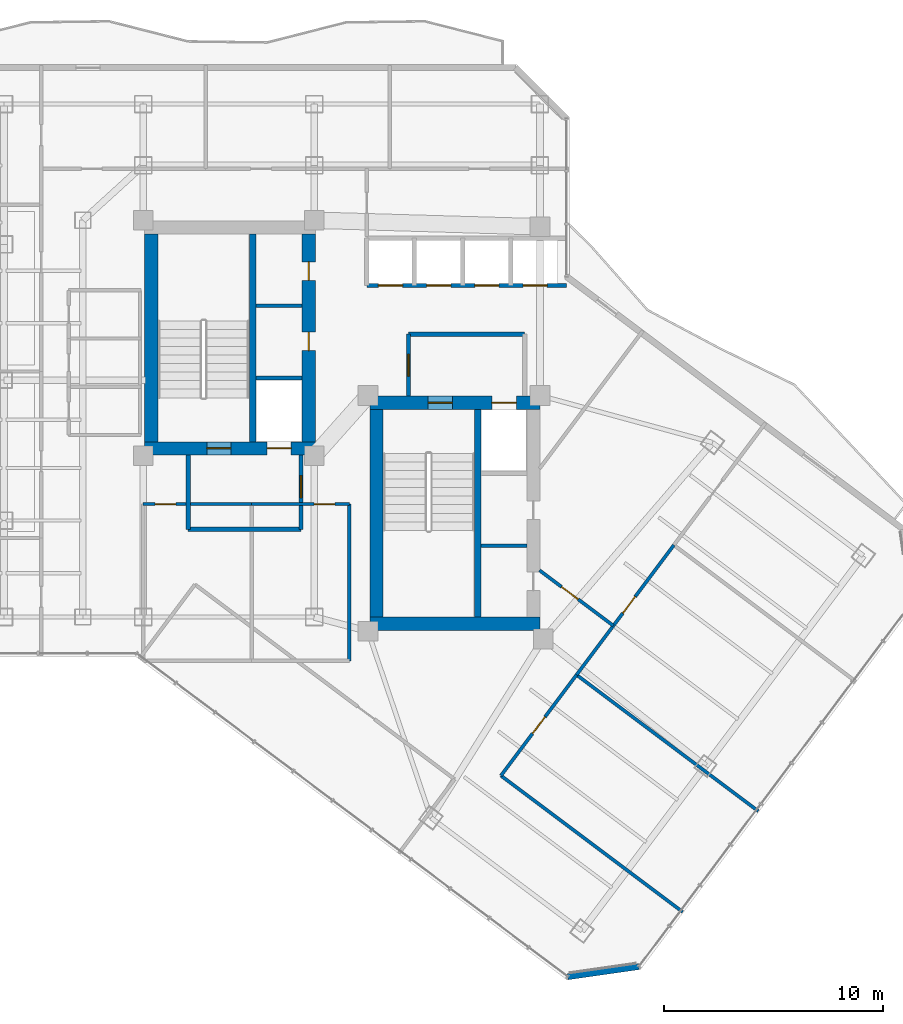
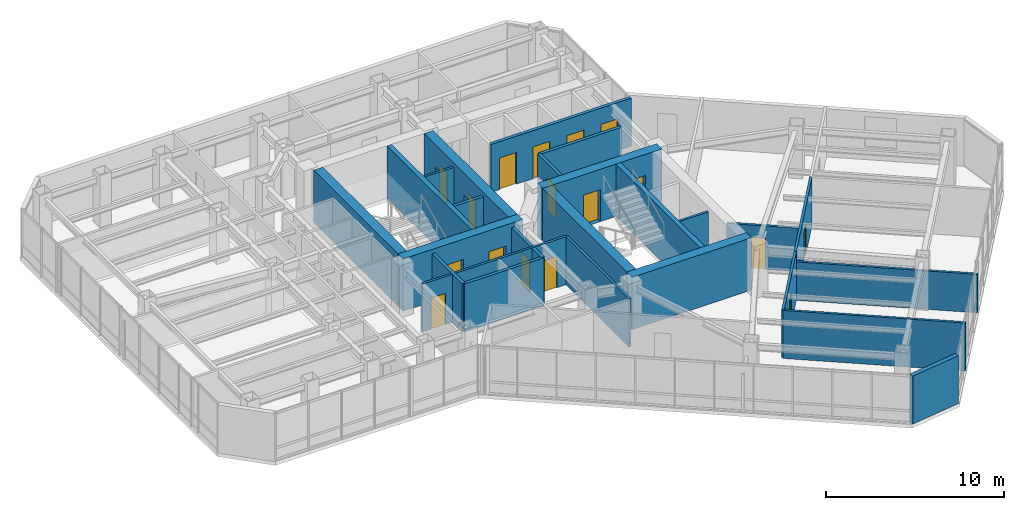
# One storey, part 25 of 29: 26 walls, 17 doors, 17 openings.
"""IFC4 building model written with IfcOpenShell, lengths in metres."""

from ifc_helpers import new_model, si_unit, direction, frame, frame_2d, origin, place, context, subcontext, project, spatial, rectangle, extrude, material, layer, layer_set, type_object, element, fill, save


model = new_model("IFC4")

# Units and contexts
model_context = context("Model", 3, precision=1e-05, world=origin(), true_north=direction((0.0, 1.0)))
body_context = subcontext(model_context, "Body", "Model", "MODEL_VIEW")
ifc_project = project(units=[si_unit("LENGTHUNIT", "METRE"), si_unit("AREAUNIT", "SQUARE_METRE"), si_unit("VOLUMEUNIT", "CUBIC_METRE"), si_unit("PLANEANGLEUNIT", "RADIAN"), si_unit("MASSUNIT", "GRAM", prefix="KILO")], contexts=[model_context])

# Site, building, storey
site_placement = place(None, origin())
site = spatial("IfcSite", under=ifc_project, at=site_placement, CompositionType="ELEMENT")
building_placement = place(site_placement, origin())
building = spatial("IfcBuilding", under=site, at=building_placement, Name="Hatsunagi Terrace Concourse", CompositionType="ELEMENT")
storey_placement = place(building_placement, frame((0.0, 0.0, 178.050048828125)))
storey = spatial("IfcBuildingStorey", under=building, at=storey_placement, Name="L47", CompositionType="ELEMENT", Elevation=178.050048828125)

# Wall, openings, doors
ifc_material_1 = material(Name="Concrete Fc48", Category="concrete")
ifc_layer_1 = layer(ifc_material_1, 0.60009765625)
ifc_layer_set_1 = layer_set([ifc_layer_1], Name="CoreShearWall_Fc48_600")
wall_type_1 = type_object("IfcWallType", Name="CoreShearWall_Fc48_600", PredefinedType="SHEAR", material=ifc_layer_set_1)
wall_1_placement = place(storey_placement, frame((25.6201171875, 32.889892578125, 0.0), z_axis=(0.0, 0.0, 1.0), x_axis=(1.0, 0.0, 0.0)))
wall_1 = element("IfcWall", 1, at=wall_1_placement, inside=storey, type_object=wall_type_1, Name="Core A Shear Wall S L47", PredefinedType="SHEAR", context=body_context, shape_type="SweptSolid", body=[
    extrude(rectangle(XDim=7.77978515625, YDim=0.60009765625, at=frame_2d((3.889892578125, 0.0))), origin(), (0.0, 0.0, 1.0), 3.599853515625),
])
opening_1_placement = place(wall_1_placement, frame((2.830078125, 0.0, 0.0)))
opening_1 = element("IfcOpeningElement", 2, at=opening_1_placement, cuts=wall_1, Name="Opening DR-110S", PredefinedType="OPENING", context=body_context, shape_type="SweptSolid", body=[
    extrude(rectangle(XDim=1.10009765625, YDim=2.199951171875, at=frame_2d((0.550048828125, 1.10009765625))), frame((0.0, 0.31005859375, 0.0), z_axis=(0.0, -1.0, 0.0), x_axis=(1.0, 0.0, 0.0)), (0.0, 0.0, 1.0), 0.6201171875),
])
opening_2_placement = place(wall_1_placement, frame((5.580078125, 0.0, 0.0)))
opening_2 = element("IfcOpeningElement", 3, at=opening_2_placement, cuts=wall_1, Name="Opening LD-01", PredefinedType="OPENING", context=body_context, shape_type="SweptSolid", body=[
    extrude(rectangle(XDim=1.10009765625, YDim=2.14990234375, at=frame_2d((0.550048828125, 1.074951171875))), frame((0.0, 0.31005859375, 0.0), z_axis=(0.0, -1.0, 0.0), x_axis=(1.0, 0.0, 0.0)), (0.0, 0.0, 1.0), 0.6201171875),
])
ifc_material_2 = material(Name="Stainless steel", Category="steel")
door_type_1 = type_object("IfcDoorType", Name="LiftLandingDoor_LD01", OperationType="SLIDING_TO_LEFT", PredefinedType="USERDEFINED", material=ifc_material_2)
door_1_placement = place(opening_2_placement, origin())
door_1 = element("IfcDoor", 4, at=door_1_placement, inside=storey, type_object=door_type_1, Name="Lift landing door FF-01 L47", ObjectType="SLIDING_LANDING_DOOR", OperationType="SLIDING_TO_LEFT", OverallHeight=2.14990234375, OverallWidth=1.10009765625, PredefinedType="USERDEFINED", context=body_context, shape_type="SweptSolid", body=[
    extrude(rectangle(XDim=1.10009765625, YDim=2.14990234375, at=frame_2d((0.550048828125, 1.074951171875))), frame((0.0, 0.02490234375, 0.0), z_axis=(0.0, -1.0, 0.0), x_axis=(1.0, 0.0, 0.0)), (0.0, 0.0, 1.0), 0.050048828125),
])
fill(opening_2, door_1)
ifc_material_3 = material(Name="Painted steel", Category="steel")
door_type_2 = type_object("IfcDoorType", Name="StairFireDoor_EI60_1100", OperationType="NOTDEFINED", PredefinedType="DOOR", material=ifc_material_3)
door_2_placement = place(opening_1_placement, origin())
door_2 = element("IfcDoor", 5, at=door_2_placement, inside=storey, type_object=door_type_2, Name="Stair ST-A Exit Door L47", OperationType="SINGLE_SWING_LEFT", OverallHeight=2.199951171875, OverallWidth=1.10009765625, PredefinedType="DOOR", context=body_context, shape_type="SweptSolid", body=[
    extrude(rectangle(XDim=1.10009765625, YDim=2.199951171875, at=frame_2d((0.550048828125, 1.10009765625))), frame((0.0, 0.02490234375, 0.0), z_axis=(0.0, -1.0, 0.0), x_axis=(1.0, 0.0, 0.0)), (0.0, 0.0, 1.0), 0.050048828125),
])
fill(opening_1, door_2)

# Wall
wall_2_placement = place(storey_placement, frame((25.919921875, 33.18994140625, 0.0), z_axis=(0.0, 0.0, 1.0), x_axis=(0.0, 1.0, 0.0)))
element("IfcWall", 6, at=wall_2_placement, inside=storey, type_object=wall_type_1, Name="Core A Shear Wall W L47", PredefinedType="SHEAR", context=body_context, shape_type="SweptSolid", body=[
    extrude(rectangle(XDim=9.47998046875, YDim=0.60009765625, at=frame_2d((4.739990234375, 0.0))), origin(), (0.0, 0.0, 1.0), 3.599853515625),
])

# Wall, openings, doors
wall_3_placement = place(storey_placement, frame((33.10009765625, 33.18994140625, 0.0), z_axis=(0.0, 0.0, 1.0), x_axis=(0.0, 1.0, 0.0)))
wall_3 = element("IfcWall", 7, at=wall_3_placement, inside=storey, type_object=wall_type_1, Name="Core A Shear Wall E L47", PredefinedType="SHEAR", context=body_context, shape_type="SweptSolid", body=[
    extrude(rectangle(XDim=9.47998046875, YDim=0.60009765625, at=frame_2d((4.739990234375, 0.0))), origin(), (0.0, 0.0, 1.0), 3.599853515625),
])
opening_3_placement = place(wall_3_placement, frame((4.159912109375, 0.0, 0.0)))
opening_3 = element("IfcOpeningElement", 8, at=opening_3_placement, cuts=wall_3, Name="Opening DR-085", PredefinedType="OPENING", context=body_context, shape_type="SweptSolid", body=[
    extrude(rectangle(XDim=0.85009765625, YDim=2.080078125, at=frame_2d((0.425048828125, 1.0400390625))), frame((0.0, 0.31005859375, 0.0), z_axis=(0.0, -1.0, 0.0), x_axis=(1.0, 0.0, 0.0)), (0.0, 0.0, 1.0), 0.6201171875),
])
opening_4_placement = place(wall_3_placement, frame((7.360107421875, 0.0, 0.0)))
opening_4 = element("IfcOpeningElement", 9, at=opening_4_placement, cuts=wall_3, Name="Opening DR-085", PredefinedType="OPENING", context=body_context, shape_type="SweptSolid", body=[
    extrude(rectangle(XDim=0.85009765625, YDim=2.080078125, at=frame_2d((0.425048828125, 1.0400390625))), frame((0.0, 0.31005859375, 0.0), z_axis=(0.0, -1.0, 0.0), x_axis=(1.0, 0.0, 0.0)), (0.0, 0.0, 1.0), 0.6201171875),
])
ifc_material_4 = material(Name="Painted steel", Category="steel")
door_type_3 = type_object("IfcDoorType", Name="RiserAccessDoor_EI60_850", OperationType="NOTDEFINED", PredefinedType="DOOR", material=ifc_material_4)
door_3_placement = place(opening_3_placement, origin())
door_3 = element("IfcDoor", 10, at=door_3_placement, inside=storey, type_object=door_type_3, Name="Core A Riser Door L47-1", OperationType="SINGLE_SWING_LEFT", OverallHeight=2.080078125, OverallWidth=0.85009765625, PredefinedType="DOOR", context=body_context, shape_type="SweptSolid", body=[
    extrude(rectangle(XDim=0.85009765625, YDim=2.080078125, at=frame_2d((0.425048828125, 1.0400390625))), frame((0.0, 0.02490234375, 0.0), z_axis=(0.0, -1.0, 0.0), x_axis=(1.0, 0.0, 0.0)), (0.0, 0.0, 1.0), 0.050048828125),
])
fill(opening_3, door_3)
door_4_placement = place(opening_4_placement, origin())
door_4 = element("IfcDoor", 11, at=door_4_placement, inside=storey, type_object=door_type_3, Name="Core A Riser Door L47-2", OperationType="SINGLE_SWING_LEFT", OverallHeight=2.080078125, OverallWidth=0.85009765625, PredefinedType="DOOR", context=body_context, shape_type="SweptSolid", body=[
    extrude(rectangle(XDim=0.85009765625, YDim=2.080078125, at=frame_2d((0.425048828125, 1.0400390625))), frame((0.0, 0.02490234375, 0.0), z_axis=(0.0, -1.0, 0.0), x_axis=(1.0, 0.0, 0.0)), (0.0, 0.0, 1.0), 0.050048828125),
])
fill(opening_4, door_4)

# Wall
wall_4_placement = place(storey_placement, frame((35.889892578125, 24.889892578125, 0.0), z_axis=(0.0, 0.0, 1.0), x_axis=(1.0, 0.0, 0.0)))
element("IfcWall", 12, at=wall_4_placement, inside=storey, type_object=wall_type_1, Name="Core B Shear Wall S L47", PredefinedType="SHEAR", context=body_context, shape_type="SweptSolid", body=[
    extrude(rectangle(XDim=7.760009765625, YDim=0.60009765625, at=frame_2d((3.8798828125, 0.0))), origin(), (0.0, 0.0, 1.0), 3.599853515625),
])

# Wall, openings, doors
wall_5_placement = place(storey_placement, frame((35.889892578125, 34.969970703125, 0.0), z_axis=(0.0, 0.0, 1.0), x_axis=(1.0, 0.0, 0.0)))
wall_5 = element("IfcWall", 13, at=wall_5_placement, inside=storey, type_object=wall_type_1, Name="Core B Shear Wall N L47", PredefinedType="SHEAR", context=body_context, shape_type="SweptSolid", body=[
    extrude(rectangle(XDim=7.760009765625, YDim=0.60009765625, at=frame_2d((3.8798828125, 0.0))), origin(), (0.0, 0.0, 1.0), 3.599853515625),
])
opening_5_placement = place(wall_5_placement, frame((2.659912109375, 0.0, 0.0)))
opening_5 = element("IfcOpeningElement", 14, at=opening_5_placement, cuts=wall_5, Name="Opening DR-110S", PredefinedType="OPENING", context=body_context, shape_type="SweptSolid", body=[
    extrude(rectangle(XDim=1.10009765625, YDim=2.199951171875, at=frame_2d((0.550048828125, 1.10009765625))), frame((0.0, 0.31005859375, 0.0), z_axis=(0.0, -1.0, 0.0), x_axis=(1.0, 0.0, 0.0)), (0.0, 0.0, 1.0), 0.6201171875),
])
opening_6_placement = place(wall_5_placement, frame((5.56005859375, 0.0, 0.0)))
opening_6 = element("IfcOpeningElement", 15, at=opening_6_placement, cuts=wall_5, Name="Opening LD-02", PredefinedType="OPENING", context=body_context, shape_type="SweptSolid", body=[
    extrude(rectangle(XDim=1.1201171875, YDim=2.14990234375, at=frame_2d((0.56005859375, 1.074951171875))), frame((0.0, 0.31005859375, 0.0), z_axis=(0.0, -1.0, 0.0), x_axis=(1.0, 0.0, 0.0)), (0.0, 0.0, 1.0), 0.6201171875),
])
ifc_material_5 = material(Name="Stainless steel", Category="steel")
door_type_4 = type_object("IfcDoorType", Name="LiftLandingDoor_LD02", OperationType="SLIDING_TO_RIGHT", PredefinedType="USERDEFINED", material=ifc_material_5)
door_5_placement = place(opening_6_placement, origin())
door_5 = element("IfcDoor", 16, at=door_5_placement, inside=storey, type_object=door_type_4, Name="Lift landing door FF-02 L47", ObjectType="SLIDING_LANDING_DOOR", OperationType="SLIDING_TO_RIGHT", OverallHeight=2.14990234375, OverallWidth=1.1201171875, PredefinedType="USERDEFINED", context=body_context, shape_type="SweptSolid", body=[
    extrude(rectangle(XDim=1.1201171875, YDim=2.14990234375, at=frame_2d((0.56005859375, 1.074951171875))), frame((0.0, 0.02490234375, 0.0), z_axis=(0.0, -1.0, 0.0), x_axis=(1.0, 0.0, 0.0)), (0.0, 0.0, 1.0), 0.050048828125),
])
fill(opening_6, door_5)
door_6_placement = place(opening_5_placement, origin())
door_6 = element("IfcDoor", 17, at=door_6_placement, inside=storey, type_object=door_type_2, Name="Stair ST-B Exit Door L47", OperationType="SINGLE_SWING_RIGHT", OverallHeight=2.199951171875, OverallWidth=1.10009765625, PredefinedType="DOOR", context=body_context, shape_type="SweptSolid", body=[
    extrude(rectangle(XDim=1.10009765625, YDim=2.199951171875, at=frame_2d((0.550048828125, 1.10009765625))), frame((0.0, 0.02490234375, 0.0), z_axis=(0.0, -1.0, 0.0), x_axis=(1.0, 0.0, 0.0)), (0.0, 0.0, 1.0), 0.050048828125),
])
fill(opening_5, door_6)

# Walls
wall_6_placement = place(storey_placement, frame((36.18994140625, 25.18994140625, 0.0), z_axis=(0.0, 0.0, 1.0), x_axis=(0.0, 1.0, 0.0)))
element("IfcWall", 18, at=wall_6_placement, inside=storey, type_object=wall_type_1, Name="Core B Shear Wall W L47", PredefinedType="SHEAR", context=body_context, shape_type="SweptSolid", body=[
    extrude(rectangle(XDim=9.47998046875, YDim=0.60009765625, at=frame_2d((4.739990234375, 0.0))), origin(), (0.0, 0.0, 1.0), 3.599853515625),
])
ifc_material_6 = material(Name="Concrete Fc48", Category="concrete")
ifc_layer_2 = layer(ifc_material_6, 0.300048828125)
ifc_layer_set_2 = layer_set([ifc_layer_2], Name="CoreStairDivider_Fc48_300")
wall_type_2 = type_object("IfcWallType", Name="CoreStairDivider_Fc48_300", PredefinedType="SHEAR", material=ifc_layer_set_2)
for number, where, z_axis, x_axis, name in (
    (19, (30.5400390625, 33.18994140625, 0.0), (0.0, 0.0, 1.0), (0.0, 1.0, 0.0), "Core A Shear Wall D L47"),
    (20, (40.81005859375, 25.18994140625, 0.0), (0.0, 0.0, 1.0), (0.0, 1.0, 0.0), "Core B Shear Wall D L47"),
):
    element("IfcWall", number, at=place(storey_placement, frame(where, z_axis=z_axis, x_axis=x_axis)), inside=storey, type_object=wall_type_2, Name=name, PredefinedType="SHEAR", context=body_context, shape_type="SweptSolid", body=[
        extrude(rectangle(XDim=9.47998046875, YDim=0.300048828125, at=frame_2d((4.739990234375, 0.0))), origin(), (0.0, 0.0, 1.0), 3.599853515625),
    ])
ifc_material_7 = material(Name="Acoustic mineral board", Category="gypsum")
ifc_layer_3 = layer(ifc_material_7, 0.14990234375)
ifc_layer_set_3 = layer_set([ifc_layer_3], Name="PartitionWall_EI60_150")
wall_type_3 = type_object("IfcWallType", Name="PartitionWall_EI60_150", PredefinedType="PARTITIONING", material=ifc_layer_set_3)
wall_7_placement = place(storey_placement, frame((30.699951171875, 39.39990234375, 0.0), z_axis=(0.0, 0.0, 1.0), x_axis=(1.0, 0.0, 0.0)))
element("IfcWall", 21, at=wall_7_placement, inside=storey, type_object=wall_type_3, Name="Interior Partition IW-L47-002", PredefinedType="PARTITIONING", context=body_context, shape_type="SweptSolid", body=[
    extrude(rectangle(XDim=2.10009765625, YDim=0.14990234375, at=frame_2d((1.050048828125, 0.0))), origin(), (0.0, 0.0, 1.0), 3.300048828125),
])
wall_8_placement = place(storey_placement, frame((40.969970703125, 28.449951171875, 0.0), z_axis=(0.0, 0.0, 1.0), x_axis=(1.0, 0.0, 0.0)))
element("IfcWall", 22, at=wall_8_placement, inside=storey, type_object=wall_type_3, Name="Interior Partition IW-L47-004", PredefinedType="PARTITIONING", context=body_context, shape_type="SweptSolid", body=[
    extrude(rectangle(XDim=2.080078125, YDim=0.14990234375, at=frame_2d((1.0400390625, 0.0))), origin(), (0.0, 0.0, 1.0), 3.300048828125),
])

# Wall, opening, door
wall_9_placement = place(storey_placement, frame((25.550048828125, 30.35009765625, 0.0), z_axis=(0.0, 0.0, 1.0), x_axis=(1.0, 0.0, 0.0)))
wall_9 = element("IfcWall", 23, at=wall_9_placement, inside=storey, type_object=wall_type_3, Name="Interior Partition IW-L47-026", PredefinedType="PARTITIONING", context=body_context, shape_type="SweptSolid", body=[
    extrude(rectangle(XDim=4.949951171875, YDim=0.14990234375, at=frame_2d((2.47509765625, 0.0))), origin(), (0.0, 0.0, 1.0), 3.300048828125),
])
opening_7_placement = place(wall_9_placement, frame((0.5419921875, 0.0, 0.0)))
opening_7 = element("IfcOpeningElement", 24, at=opening_7_placement, cuts=wall_9, Name="Opening DR-095", PredefinedType="OPENING", context=body_context, shape_type="SweptSolid", body=[
    extrude(rectangle(XDim=0.949951171875, YDim=2.14990234375, at=frame_2d((0.47509765625, 1.074951171875))), frame((0.0, 0.0849609375, 0.0), z_axis=(0.0, -1.0, 0.0), x_axis=(1.0, 0.0, 0.0)), (0.0, 0.0, 1.0), 0.169921875),
])
ifc_material_8 = material(Name="Hardwood timber", Category="wood")
door_type_5 = type_object("IfcDoorType", Name="InteriorSuiteDoor_EI30_950", OperationType="NOTDEFINED", PredefinedType="DOOR", material=ifc_material_8)
door_7_placement = place(opening_7_placement, origin())
door_7 = element("IfcDoor", 25, at=door_7_placement, inside=storey, type_object=door_type_5, Name="Breakout Pantry L47-RECL1 Door", OperationType="SINGLE_SWING_RIGHT", OverallHeight=2.14990234375, OverallWidth=0.949951171875, PredefinedType="DOOR", context=body_context, shape_type="SweptSolid", body=[
    extrude(rectangle(XDim=0.949951171875, YDim=2.14990234375, at=frame_2d((0.47509765625, 1.074951171875))), frame((0.0, 0.02490234375, 0.0), z_axis=(0.0, -1.0, 0.0), x_axis=(1.0, 0.0, 0.0)), (0.0, 0.0, 1.0), 0.050048828125),
])
fill(opening_7, door_7)

wall_10_placement = place(storey_placement, frame((30.5, 30.35009765625, 0.0), z_axis=(0.0, 0.0, 1.0), x_axis=(1.0, 0.0, 0.0)))
wall_10 = element("IfcWall", 26, at=wall_10_placement, inside=storey, type_object=wall_type_3, Name="Interior Partition IW-L47-030", PredefinedType="PARTITIONING", context=body_context, shape_type="SweptSolid", body=[
    extrude(rectangle(XDim=4.449951171875, YDim=0.14990234375, at=frame_2d((2.22509765625, 0.0))), origin(), (0.0, 0.0, 1.0), 3.300048828125),
])
opening_8_placement = place(wall_10_placement, frame((2.845947265625, 0.0, 0.0)))
opening_8 = element("IfcOpeningElement", 27, at=opening_8_placement, cuts=wall_10, Name="Opening DR-095", PredefinedType="OPENING", context=body_context, shape_type="SweptSolid", body=[
    extrude(rectangle(XDim=0.949951171875, YDim=2.14990234375, at=frame_2d((0.47509765625, 1.074951171875))), frame((0.0, 0.0849609375, 0.0), z_axis=(0.0, -1.0, 0.0), x_axis=(1.0, 0.0, 0.0)), (0.0, 0.0, 1.0), 0.169921875),
])
door_8_placement = place(opening_8_placement, origin())
door_8 = element("IfcDoor", 28, at=door_8_placement, inside=storey, type_object=door_type_5, Name="Focus Room L47-RECL2 Door", OperationType="SINGLE_SWING_RIGHT", OverallHeight=2.14990234375, OverallWidth=0.949951171875, PredefinedType="DOOR", context=body_context, shape_type="SweptSolid", body=[
    extrude(rectangle(XDim=0.949951171875, YDim=2.14990234375, at=frame_2d((0.47509765625, 1.074951171875))), frame((0.0, 0.02490234375, 0.0), z_axis=(0.0, -1.0, 0.0), x_axis=(1.0, 0.0, 0.0)), (0.0, 0.0, 1.0), 0.050048828125),
])
fill(opening_8, door_8)

# Walls
wall_11_placement = place(storey_placement, frame((34.949951171875, 23.199951171875, 0.0), z_axis=(0.0, 0.0, 1.0), x_axis=(0.0, 1.0, 0.0)))
element("IfcWall", 29, at=wall_11_placement, inside=storey, type_object=wall_type_3, Name="Interior Partition IW-L47-031", PredefinedType="PARTITIONING", context=body_context, shape_type="SweptSolid", body=[
    extrude(rectangle(XDim=7.150146484375, YDim=0.14990234375, at=frame_2d((3.5751953125, 0.0))), origin(), (0.0, 0.0, 1.0), 3.300048828125),
])
wall_12_placement = place(storey_placement, frame((41.8701171875, 17.9599609375, 0.0), z_axis=(0.0, 0.0, 1.0), x_axis=(0.799991516197, -0.600011311571, 0.0)))
element("IfcWall", 30, at=wall_12_placement, inside=storey, type_object=wall_type_3, Name="Interior Partition IW-L47-044", PredefinedType="PARTITIONING", context=body_context, shape_type="SweptSolid", body=[
    extrude(rectangle(XDim=10.35986328125, YDim=0.14990234375, at=frame_2d((5.179931640625, 0.0))), origin(), (0.0, 0.0, 1.0), 3.300048828125),
])
wall_13_placement = place(storey_placement, frame((45.320068359375, 22.56005859375, 0.0), z_axis=(0.0, 0.0, 1.0), x_axis=(0.799991516197, -0.600011311571, 0.0)))
element("IfcWall", 31, at=wall_13_placement, inside=storey, type_object=wall_type_3, Name="Interior Partition IW-L47-045", PredefinedType="PARTITIONING", context=body_context, shape_type="SweptSolid", body=[
    extrude(rectangle(XDim=10.35986328125, YDim=0.14990234375, at=frame_2d((5.179931640625, 0.0))), origin(), (0.0, 0.0, 1.0), 2.64501953125),
])

# Wall, opening, door
wall_14_placement = place(storey_placement, frame((41.8701171875, 17.9599609375, 0.0), z_axis=(0.0, 0.0, 1.0), x_axis=(0.599986413072, 0.800010190015, 0.0)))
wall_14 = element("IfcWall", 32, at=wall_14_placement, inside=storey, type_object=wall_type_3, Name="Interior Partition IW-L47-046", PredefinedType="PARTITIONING", context=body_context, shape_type="SweptSolid", body=[
    extrude(rectangle(XDim=5.75, YDim=0.14990234375, at=frame_2d((2.875, 0.0))), origin(), (0.0, 0.0, 1.0), 3.300048828125),
])
opening_9_placement = place(wall_14_placement, frame((2.39990234375, 0.0, 0.0)))
opening_9 = element("IfcOpeningElement", 33, at=opening_9_placement, cuts=wall_14, Name="Opening DR-095", PredefinedType="OPENING", context=body_context, shape_type="SweptSolid", body=[
    extrude(rectangle(XDim=0.949951171875, YDim=2.14990234375, at=frame_2d((0.47509765625, 1.074951171875))), frame((0.0, 0.0849609375, 0.0), z_axis=(0.0, -1.0, 0.0), x_axis=(1.0, 0.0, 0.0)), (0.0, 0.0, 1.0), 0.169921875),
])
door_9_placement = place(opening_9_placement, origin())
door_9 = element("IfcDoor", 34, at=door_9_placement, inside=storey, type_object=door_type_5, Name="Meeting Room L47-OSE1 Door", OperationType="SINGLE_SWING_RIGHT", OverallHeight=2.14990234375, OverallWidth=0.949951171875, PredefinedType="DOOR", context=body_context, shape_type="SweptSolid", body=[
    extrude(rectangle(XDim=0.949951171875, YDim=2.14990234375, at=frame_2d((0.47509765625, 1.074951171875))), frame((0.0, 0.02490234375, 0.0), z_axis=(0.0, -1.0, 0.0), x_axis=(1.0, 0.0, 0.0)), (0.0, 0.0, 1.0), 0.050048828125),
])
fill(opening_9, door_9)

wall_15_placement = place(storey_placement, frame((45.320068359375, 22.56005859375, 0.0), z_axis=(0.0, 0.0, 1.0), x_axis=(0.6, 0.8, 0.0)))
wall_15 = element("IfcWall", 35, at=wall_15_placement, inside=storey, type_object=wall_type_3, Name="Interior Partition IW-L47-048", PredefinedType="PARTITIONING", context=body_context, shape_type="SweptSolid", body=[
    extrude(rectangle(XDim=7.39990234375, YDim=0.14990234375, at=frame_2d((3.699951171875, 0.0))), origin(), (0.0, 0.0, 1.0), 3.300048828125),
])
opening_10_placement = place(wall_15_placement, frame((3.510009765625, 0.0, 0.0)))
opening_10 = element("IfcOpeningElement", 36, at=opening_10_placement, cuts=wall_15, Name="Opening DR-095", PredefinedType="OPENING", context=body_context, shape_type="SweptSolid", body=[
    extrude(rectangle(XDim=0.949951171875, YDim=2.14990234375, at=frame_2d((0.47509765625, 1.074951171875))), frame((0.0, 0.0849609375, 0.0), z_axis=(0.0, -1.0, 0.0), x_axis=(1.0, 0.0, 0.0)), (0.0, 0.0, 1.0), 0.169921875),
])
door_10_placement = place(opening_10_placement, origin())
door_10 = element("IfcDoor", 37, at=door_10_placement, inside=storey, type_object=door_type_5, Name="Team Innovation Studio L47-OSE2 Door", OperationType="SINGLE_SWING_RIGHT", OverallHeight=2.14990234375, OverallWidth=0.949951171875, PredefinedType="DOOR", context=body_context, shape_type="SweptSolid", body=[
    extrude(rectangle(XDim=0.949951171875, YDim=2.14990234375, at=frame_2d((0.47509765625, 1.074951171875))), frame((0.0, 0.02490234375, 0.0), z_axis=(0.0, -1.0, 0.0), x_axis=(1.0, 0.0, 0.0)), (0.0, 0.0, 1.0), 0.050048828125),
])
fill(opening_10, door_10)

wall_16_placement = place(storey_placement, frame((43.6298828125, 27.327880859375, 0.0), z_axis=(0.0, 0.0, 1.0), x_axis=(0.799972182084, -0.600037088764, 0.0)))
wall_16 = element("IfcWall", 38, at=wall_16_placement, inside=storey, type_object=wall_type_3, Name="Interior Partition IW-L47-050", PredefinedType="PARTITIONING", context=body_context, shape_type="SweptSolid", body=[
    extrude(rectangle(XDim=4.212890625, YDim=0.14990234375, at=frame_2d((2.1064453125, 0.0))), origin(), (0.0, 0.0, 1.0), 2.994873046875),
])
opening_11_placement = place(wall_16_placement, frame((1.256103515625, 0.0, 0.0)))
opening_11 = element("IfcOpeningElement", 39, at=opening_11_placement, cuts=wall_16, Name="Opening DR-095", PredefinedType="OPENING", context=body_context, shape_type="SweptSolid", body=[
    extrude(rectangle(XDim=0.949951171875, YDim=2.14990234375, at=frame_2d((0.47509765625, 1.074951171875))), frame((0.0, 0.0849609375, 0.0), z_axis=(0.0, -1.0, 0.0), x_axis=(1.0, 0.0, 0.0)), (0.0, 0.0, 1.0), 0.169921875),
])
door_11_placement = place(opening_11_placement, origin())
door_11 = element("IfcDoor", 40, at=door_11_placement, inside=storey, type_object=door_type_5, Name="Collaboration Lounge L47-OSEN0 Door", OperationType="SINGLE_SWING_LEFT", OverallHeight=2.14990234375, OverallWidth=0.949951171875, PredefinedType="DOOR", context=body_context, shape_type="SweptSolid", body=[
    extrude(rectangle(XDim=0.949951171875, YDim=2.14990234375, at=frame_2d((0.47509765625, 1.074951171875))), frame((0.0, 0.02490234375, 0.0), z_axis=(0.0, -1.0, 0.0), x_axis=(1.0, 0.0, 0.0)), (0.0, 0.0, 1.0), 0.050048828125),
])
fill(opening_11, door_11)

# Walls
ifc_material_9 = material(Name="Acoustic mineral board", Category="gypsum")
ifc_layer_4 = layer(ifc_material_9, 0.199951171875)
ifc_layer_set_4 = layer_set([ifc_layer_4], Name="ShaftWall_EI120_200")
wall_type_4 = type_object("IfcWallType", Name="ShaftWall_EI120_200", PredefinedType="STANDARD", material=ifc_layer_set_4)
wall_17_placement = place(storey_placement, frame((30.699951171875, 36.10009765625, 0.0), z_axis=(0.0, 0.0, 1.0), x_axis=(1.0, 0.0, 0.0)))
element("IfcWall", 41, at=wall_17_placement, inside=storey, type_object=wall_type_4, Name="Interior Partition IW-L47-001", PredefinedType="STANDARD", context=body_context, shape_type="SweptSolid", body=[
    extrude(rectangle(XDim=2.10009765625, YDim=0.199951171875, at=frame_2d((1.050048828125, 0.0))), origin(), (0.0, 0.0, 1.0), 3.300048828125),
])
wall_18_placement = place(storey_placement, frame((27.60009765625, 29.199951171875, 0.0), z_axis=(0.0, 0.0, 1.0), x_axis=(1.0, 0.0, 0.0)))
element("IfcWall", 42, at=wall_18_placement, inside=storey, type_object=wall_type_4, Name="Interior Partition IW-L47-005", PredefinedType="STANDARD", context=body_context, shape_type="SweptSolid", body=[
    extrude(rectangle(XDim=5.14990234375, YDim=0.199951171875, at=frame_2d((2.574951171875, 0.0))), origin(), (0.0, 0.0, 1.0), 3.300048828125),
])
wall_19_placement = place(storey_placement, frame((27.60009765625, 29.199951171875, 0.0), z_axis=(0.0, 0.0, 1.0), x_axis=(0.0, 1.0, 0.0)))
element("IfcWall", 43, at=wall_19_placement, inside=storey, type_object=wall_type_4, Name="Interior Partition IW-L47-006", PredefinedType="STANDARD", context=body_context, shape_type="SweptSolid", body=[
    extrude(rectangle(XDim=3.39013671875, YDim=0.199951171875, at=frame_2d((1.695068359375, 0.0))), origin(), (0.0, 0.0, 1.0), 3.300048828125),
])

# Wall, opening, door
wall_20_placement = place(storey_placement, frame((32.75, 29.199951171875, 0.0), z_axis=(0.0, 0.0, 1.0), x_axis=(0.0, 1.0, 0.0)))
wall_20 = element("IfcWall", 44, at=wall_20_placement, inside=storey, type_object=wall_type_4, Name="Interior Partition IW-L47-007", PredefinedType="STANDARD", context=body_context, shape_type="SweptSolid", body=[
    extrude(rectangle(XDim=3.39013671875, YDim=0.199951171875, at=frame_2d((1.695068359375, 0.0))), origin(), (0.0, 0.0, 1.0), 3.300048828125),
])
opening_12_placement = place(wall_20_placement, frame((1.449951171875, 0.0, 0.0)))
opening_12 = element("IfcOpeningElement", 45, at=opening_12_placement, cuts=wall_20, Name="Opening DR-100F", PredefinedType="OPENING", context=body_context, shape_type="SweptSolid", body=[
    extrude(rectangle(XDim=1.0, YDim=2.199951171875, at=frame_2d((0.5, 1.10009765625))), frame((0.0, 0.10986328125, 0.0), z_axis=(0.0, -1.0, 0.0), x_axis=(1.0, 0.0, 0.0)), (0.0, 0.0, 1.0), 0.219970703125),
])
ifc_material_10 = material(Name="Painted steel", Category="steel")
door_type_6 = type_object("IfcDoorType", Name="FireDoor_EI60_1000", OperationType="NOTDEFINED", PredefinedType="DOOR", material=ifc_material_10)
door_12_placement = place(opening_12_placement, origin())
door_12 = element("IfcDoor", 46, at=door_12_placement, inside=storey, type_object=door_type_6, Name="Firefighting Lobby A Door L47", OperationType="SINGLE_SWING_RIGHT", OverallHeight=2.199951171875, OverallWidth=1.0, PredefinedType="DOOR", context=body_context, shape_type="SweptSolid", body=[
    extrude(rectangle(XDim=1.0, YDim=2.199951171875, at=frame_2d((0.5, 1.10009765625))), frame((0.0, 0.02490234375, 0.0), z_axis=(0.0, -1.0, 0.0), x_axis=(1.0, 0.0, 0.0)), (0.0, 0.0, 1.0), 0.050048828125),
])
fill(opening_12, door_12)

# Wall
wall_21_placement = place(storey_placement, frame((37.64990234375, 38.10009765625, 0.0), z_axis=(0.0, 0.0, 1.0), x_axis=(1.0, 0.0, 0.0)))
element("IfcWall", 47, at=wall_21_placement, inside=storey, type_object=wall_type_4, Name="Interior Partition IW-L47-008", PredefinedType="STANDARD", context=body_context, shape_type="SweptSolid", body=[
    extrude(rectangle(XDim=5.300048828125, YDim=0.199951171875, at=frame_2d((2.64990234375, 0.0))), origin(), (0.0, 0.0, 1.0), 3.300048828125),
])

# Wall, opening, door
wall_22_placement = place(storey_placement, frame((37.64990234375, 35.27001953125, 0.0), z_axis=(0.0, 0.0, 1.0), x_axis=(0.0, 1.0, 0.0)))
wall_22 = element("IfcWall", 48, at=wall_22_placement, inside=storey, type_object=wall_type_4, Name="Interior Partition IW-L47-010", PredefinedType="STANDARD", context=body_context, shape_type="SweptSolid", body=[
    extrude(rectangle(XDim=2.830078125, YDim=0.199951171875, at=frame_2d((1.4150390625, 0.0))), origin(), (0.0, 0.0, 1.0), 3.300048828125),
])
opening_13_placement = place(wall_22_placement, frame((0.9150390625, 0.0, 0.0)))
opening_13 = element("IfcOpeningElement", 49, at=opening_13_placement, cuts=wall_22, Name="Opening DR-100F", PredefinedType="OPENING", context=body_context, shape_type="SweptSolid", body=[
    extrude(rectangle(XDim=1.0, YDim=2.199951171875, at=frame_2d((0.5, 1.10009765625))), frame((0.0, 0.10986328125, 0.0), z_axis=(0.0, -1.0, 0.0), x_axis=(1.0, 0.0, 0.0)), (0.0, 0.0, 1.0), 0.219970703125),
])
door_13_placement = place(opening_13_placement, origin())
door_13 = element("IfcDoor", 50, at=door_13_placement, inside=storey, type_object=door_type_6, Name="Firefighting Lobby B Door L47", OperationType="SINGLE_SWING_RIGHT", OverallHeight=2.199951171875, OverallWidth=1.0, PredefinedType="DOOR", context=body_context, shape_type="SweptSolid", body=[
    extrude(rectangle(XDim=1.0, YDim=2.199951171875, at=frame_2d((0.5, 1.10009765625))), frame((0.0, 0.02490234375, 0.0), z_axis=(0.0, -1.0, 0.0), x_axis=(1.0, 0.0, 0.0)), (0.0, 0.0, 1.0), 0.050048828125),
])
fill(opening_13, door_13)

# Wall, openings, doors
wall_23_placement = place(storey_placement, frame((35.75, 40.320068359375, 0.0), z_axis=(0.0, 0.0, 1.0), x_axis=(1.0, 0.0, 0.0)))
wall_23 = element("IfcWall", 51, at=wall_23_placement, inside=storey, type_object=wall_type_4, Name="Interior Partition IW-L47-016", PredefinedType="STANDARD", context=body_context, shape_type="SweptSolid", body=[
    extrude(rectangle(XDim=9.110107421875, YDim=0.199951171875, at=frame_2d((4.55517578125, 0.0))), origin(), (0.0, 0.0, 1.0), 3.300048828125),
])
opening_14_placement = place(wall_23_placement, frame((0.530029296875, 0.0, 0.0)))
opening_14 = element("IfcOpeningElement", 52, at=opening_14_placement, cuts=wall_23, Name="Opening LD-04", PredefinedType="OPENING", context=body_context, shape_type="SweptSolid", body=[
    extrude(rectangle(XDim=1.10009765625, YDim=2.179931640625, at=frame_2d((0.550048828125, 1.08984375))), frame((0.0, 0.10986328125, 0.0), z_axis=(0.0, -1.0, 0.0), x_axis=(1.0, 0.0, 0.0)), (0.0, 0.0, 1.0), 0.219970703125),
])
opening_15_placement = place(wall_23_placement, frame((2.72998046875, 0.0, 0.0)))
opening_15 = element("IfcOpeningElement", 53, at=opening_15_placement, cuts=wall_23, Name="Opening LD-04", PredefinedType="OPENING", context=body_context, shape_type="SweptSolid", body=[
    extrude(rectangle(XDim=1.10009765625, YDim=2.179931640625, at=frame_2d((0.550048828125, 1.08984375))), frame((0.0, 0.10986328125, 0.0), z_axis=(0.0, -1.0, 0.0), x_axis=(1.0, 0.0, 0.0)), (0.0, 0.0, 1.0), 0.219970703125),
])
opening_16_placement = place(wall_23_placement, frame((4.929931640625, 0.0, 0.0)))
opening_16 = element("IfcOpeningElement", 54, at=opening_16_placement, cuts=wall_23, Name="Opening LD-04", PredefinedType="OPENING", context=body_context, shape_type="SweptSolid", body=[
    extrude(rectangle(XDim=1.10009765625, YDim=2.179931640625, at=frame_2d((0.550048828125, 1.08984375))), frame((0.0, 0.10986328125, 0.0), z_axis=(0.0, -1.0, 0.0), x_axis=(1.0, 0.0, 0.0)), (0.0, 0.0, 1.0), 0.219970703125),
])
opening_17_placement = place(wall_23_placement, frame((7.1298828125, 0.0, 0.0)))
opening_17 = element("IfcOpeningElement", 55, at=opening_17_placement, cuts=wall_23, Name="Opening LD-04", PredefinedType="OPENING", context=body_context, shape_type="SweptSolid", body=[
    extrude(rectangle(XDim=1.10009765625, YDim=2.179931640625, at=frame_2d((0.550048828125, 1.08984375))), frame((0.0, 0.10986328125, 0.0), z_axis=(0.0, -1.0, 0.0), x_axis=(1.0, 0.0, 0.0)), (0.0, 0.0, 1.0), 0.219970703125),
])
ifc_material_11 = material(Name="Stainless steel", Category="steel")
door_type_7 = type_object("IfcDoorType", Name="LiftLandingDoor_LD04", OperationType="SLIDING_TO_RIGHT", PredefinedType="USERDEFINED", material=ifc_material_11)
door_14_placement = place(opening_14_placement, origin())
door_14 = element("IfcDoor", 56, at=door_14_placement, inside=storey, type_object=door_type_7, Name="Lift landing door PL-05 L47", ObjectType="SLIDING_LANDING_DOOR", OperationType="SLIDING_TO_RIGHT", OverallHeight=2.179931640625, OverallWidth=1.10009765625, PredefinedType="USERDEFINED", context=body_context, shape_type="SweptSolid", body=[
    extrude(rectangle(XDim=1.10009765625, YDim=2.179931640625, at=frame_2d((0.550048828125, 1.08984375))), frame((0.0, 0.02490234375, 0.0), z_axis=(0.0, -1.0, 0.0), x_axis=(1.0, 0.0, 0.0)), (0.0, 0.0, 1.0), 0.050048828125),
])
fill(opening_14, door_14)
door_15_placement = place(opening_15_placement, origin())
door_15 = element("IfcDoor", 57, at=door_15_placement, inside=storey, type_object=door_type_7, Name="Lift landing door PL-06 L47", ObjectType="SLIDING_LANDING_DOOR", OperationType="SLIDING_TO_RIGHT", OverallHeight=2.179931640625, OverallWidth=1.10009765625, PredefinedType="USERDEFINED", context=body_context, shape_type="SweptSolid", body=[
    extrude(rectangle(XDim=1.10009765625, YDim=2.179931640625, at=frame_2d((0.550048828125, 1.08984375))), frame((0.0, 0.02490234375, 0.0), z_axis=(0.0, -1.0, 0.0), x_axis=(1.0, 0.0, 0.0)), (0.0, 0.0, 1.0), 0.050048828125),
])
fill(opening_15, door_15)
door_16_placement = place(opening_16_placement, origin())
door_16 = element("IfcDoor", 58, at=door_16_placement, inside=storey, type_object=door_type_7, Name="Lift landing door PL-07 L47", ObjectType="SLIDING_LANDING_DOOR", OperationType="SLIDING_TO_RIGHT", OverallHeight=2.179931640625, OverallWidth=1.10009765625, PredefinedType="USERDEFINED", context=body_context, shape_type="SweptSolid", body=[
    extrude(rectangle(XDim=1.10009765625, YDim=2.179931640625, at=frame_2d((0.550048828125, 1.08984375))), frame((0.0, 0.02490234375, 0.0), z_axis=(0.0, -1.0, 0.0), x_axis=(1.0, 0.0, 0.0)), (0.0, 0.0, 1.0), 0.050048828125),
])
fill(opening_16, door_16)
door_17_placement = place(opening_17_placement, origin())
door_17 = element("IfcDoor", 59, at=door_17_placement, inside=storey, type_object=door_type_7, Name="Lift landing door PL-08 L47", ObjectType="SLIDING_LANDING_DOOR", OperationType="SLIDING_TO_RIGHT", OverallHeight=2.179931640625, OverallWidth=1.10009765625, PredefinedType="USERDEFINED", context=body_context, shape_type="SweptSolid", body=[
    extrude(rectangle(XDim=1.10009765625, YDim=2.179931640625, at=frame_2d((0.550048828125, 1.08984375))), frame((0.0, 0.02490234375, 0.0), z_axis=(0.0, -1.0, 0.0), x_axis=(1.0, 0.0, 0.0)), (0.0, 0.0, 1.0), 0.050048828125),
])
fill(opening_17, door_17)

# Wall
ifc_material_12 = material(Name="Autoclaved Lightweight Concrete and Terracotta Cladding", Category="masonry")
ifc_layer_5 = layer(ifc_material_12, 0.280029296875)
ifc_layer_set_5 = layer_set([ifc_layer_5], Name="TerracottaSpandrelWall_280")
wall_type_5 = type_object("IfcWallType", Name="TerracottaSpandrelWall_280", PredefinedType="STANDARD", material=ifc_layer_set_5)
wall_24_placement = place(storey_placement, frame((48.1630859375, 9.25, 0.0), z_axis=(0.0, 0.0, 1.0), x_axis=(-0.989979263428, -0.141212810973, 0.0)))
element("IfcWall", 60, at=wall_24_placement, inside=storey, type_object=wall_type_5, Name="Exterior Spandrel Wall EW-L47-04", PredefinedType="STANDARD", context=body_context, shape_type="SweptSolid", body=[
    extrude(rectangle(XDim=3.278076171875, YDim=0.280029296875, at=frame_2d((1.63916015625, 0.0))), origin(), (0.0, 0.0, 1.0), 3.300048828125),
])

save(model, "model.ifc")
